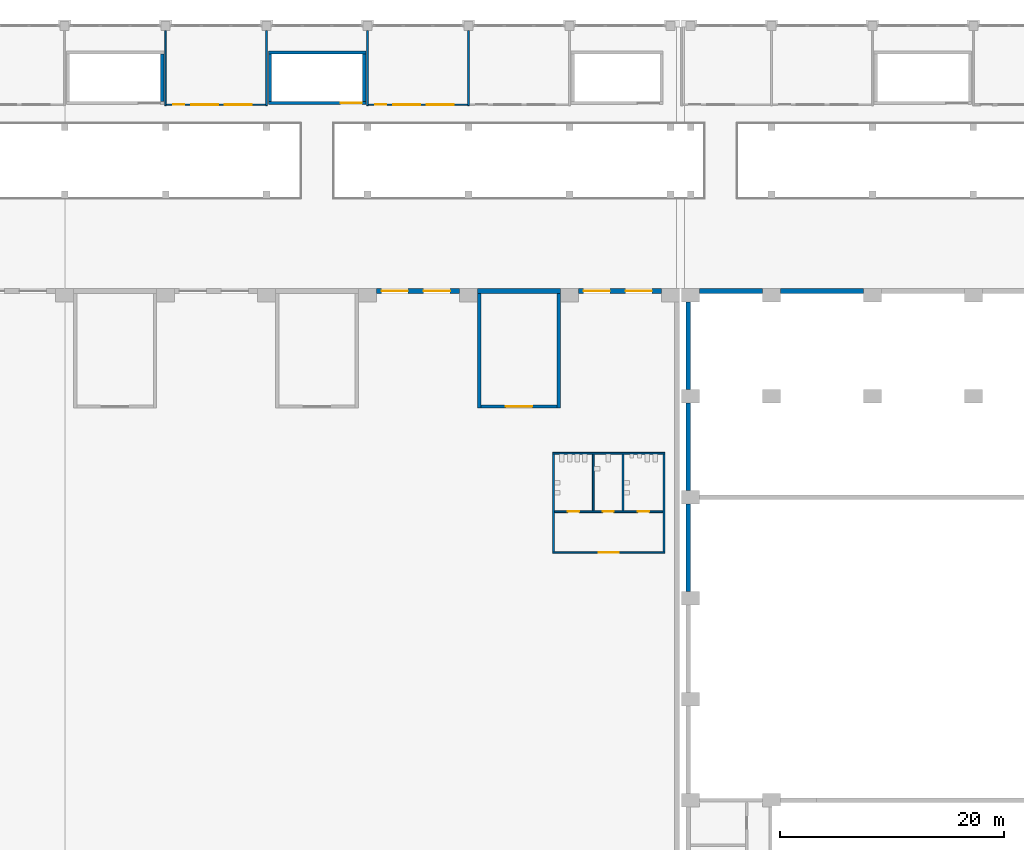
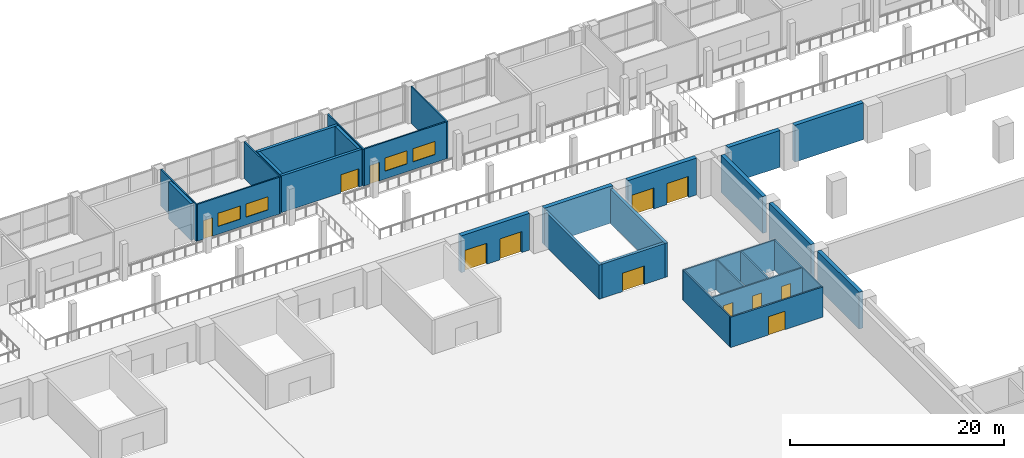
# One storey, part 19 of 39: 29 walls, 12 doors, 4 windows, 16 openings.
"""IFC4 building model written with IfcOpenShell, lengths in metres."""

from ifc_helpers import new_model, si_unit, direction, frame, frame_2d, origin, place, context, subcontext, project, spatial, rectangle, extrude, material, layer, layer_set, type_object, element, fill, save


model = new_model("IFC4")

# Units and contexts
model_context = context("Model", 3, precision=1e-05, world=origin(), true_north=direction((0.0, 1.0)))
body_context = subcontext(model_context, "Body", "Model", "MODEL_VIEW")
ifc_project = project(units=[si_unit("LENGTHUNIT", "METRE"), si_unit("AREAUNIT", "SQUARE_METRE"), si_unit("VOLUMEUNIT", "CUBIC_METRE"), si_unit("PLANEANGLEUNIT", "RADIAN"), si_unit("MASSUNIT", "GRAM", prefix="KILO")], contexts=[model_context])

# Site, building, storey
site_placement = place(None, origin())
site = spatial("IfcSite", under=ifc_project, at=site_placement, CompositionType="ELEMENT")
building_placement = place(site_placement, origin())
building = spatial("IfcBuilding", under=site, at=building_placement, Name="Aravalli Gate Trade Fair Centre", CompositionType="ELEMENT")
storey_placement = place(building_placement, frame((0.0, 0.0, 15.0)))
storey = spatial("IfcBuildingStorey", under=building, at=storey_placement, Name="L03", CompositionType="ELEMENT", Elevation=15.0)

# Walls
ifc_material_1 = material(Name="Concrete M40", Category="concrete")
ifc_layer_1 = layer(ifc_material_1, 0.25, Name="Structural wall")
ifc_material_2 = material(Name="Ventilated air cavity")
ifc_layer_2 = layer(ifc_material_2, 0.050048828125, ventilated=True, Name="Ventilated cavity")
ifc_material_3 = material(Name="Terracotta rainscreen", Category="masonry")
ifc_layer_3 = layer(ifc_material_3, 0.10009765625, Name="Rainscreen cladding")
ifc_layer_set_1 = layer_set([ifc_layer_1, ifc_layer_2, ifc_layer_3], Name="Congress external wall 400")
wall_type_1 = type_object("IfcWallType", Name="Congress external wall 400", PredefinedType="SOLIDWALL", material=ifc_layer_set_1)
for number, where, z_axis, x_axis, name in (
    (1, (106.60009765625, 82.60009765625, 0.0), (0.0, 0.0, 1.0), (0.0, 1.0, 0.0), "West wall L03 bay 5"),
    (2, (106.60009765625, 91.60009765625, 0.0), (0.0, 0.0, 1.0), (0.0, 1.0, 0.0), "West wall L03 bay 6"),
    (3, (106.60009765625, 100.60009765625, 0.0), (0.0, 0.0, 1.0), (0.0, 1.0, 0.0), "West wall L03 bay 7"),
):
    element("IfcWall", number, at=place(storey_placement, frame(where, z_axis=z_axis, x_axis=x_axis)), inside=storey, type_object=wall_type_1, Name=name, PredefinedType="SOLIDWALL", context=body_context, shape_type="SweptSolid", body=[
        extrude(rectangle(XDim=7.7998046875, YDim=0.39990234375, at=frame_2d((3.89990234375, 0.0))), origin(), (0.0, 0.0, 1.0), 4.199951171875),
    ])
ifc_layer_4 = layer(ifc_material_1, 0.449951171875)
ifc_layer_set_2 = layer_set([ifc_layer_4], Name="Concrete M40")
wall_type_2 = type_object("IfcWallType", Name="Congress party wall 450", PredefinedType="SOLIDWALL", material=ifc_layer_set_2)
wall_1_placement = place(storey_placement, frame((107.60009765625, 109.375, 0.0), z_axis=(0.0, 0.0, 1.0), x_axis=(1.0, 0.0, 0.0)))
element("IfcWall", 4, at=wall_1_placement, inside=storey, type_object=wall_type_2, Name="North wall L03 bay 1", PredefinedType="SOLIDWALL", context=body_context, shape_type="SweptSolid", body=[
    extrude(rectangle(XDim=5.599853515625, YDim=0.449951171875, at=frame_2d((2.7998046875, 0.0))), origin(), (0.0, 0.0, 1.0), 4.199951171875),
])
wall_2_placement = place(storey_placement, frame((114.800048828125, 109.375, 0.0), z_axis=(0.0, 0.0, 1.0), x_axis=(1.0, 0.0, 0.0)))
element("IfcWall", 5, at=wall_2_placement, inside=storey, type_object=wall_type_2, Name="North wall L03 bay 2", PredefinedType="SOLIDWALL", context=body_context, shape_type="SweptSolid", body=[
    extrude(rectangle(XDim=7.39990234375, YDim=0.449951171875, at=frame_2d((3.699951171875, 0.0))), origin(), (0.0, 0.0, 1.0), 4.199951171875),
])

# Wall, openings, doors
ifc_layer_5 = layer(ifc_material_1, 0.25, Name="Structural wall")
ifc_layer_6 = layer(ifc_material_2, 0.10009765625, ventilated=True, Name="Ventilated cavity")
ifc_layer_7 = layer(ifc_material_3, 0.10009765625, Name="Rainscreen cladding")
ifc_layer_set_3 = layer_set([ifc_layer_5, ifc_layer_6, ifc_layer_7], Name="Hall external wall 450")
wall_type_3 = type_object("IfcWallType", Name="Hall external wall 450", PredefinedType="SOLIDWALL", material=ifc_layer_set_3)
wall_3_placement = place(storey_placement, frame((78.800048828125, 109.375, 0.0), z_axis=(0.0, 0.0, 1.0), x_axis=(1.0, 0.0, 0.0)))
wall_3 = element("IfcWall", 6, at=wall_3_placement, inside=storey, type_object=wall_type_3, Name="Hall north wall bay 9 L03", PredefinedType="SOLIDWALL", context=body_context, shape_type="SweptSolid", body=[
    extrude(rectangle(XDim=7.39990234375, YDim=0.449951171875, at=frame_2d((3.699951171875, 0.0))), origin(), (0.0, 0.0, 1.0), 4.199951171875),
])
opening_1_placement = place(wall_3_placement, frame((0.449951171875, 0.0, 0.0)))
opening_1 = element("IfcOpeningElement", 7, at=opening_1_placement, cuts=wall_3, Name="Opening H-L03-14", PredefinedType="OPENING", context=body_context, shape_type="SweptSolid", body=[
    extrude(rectangle(XDim=2.35009765625, YDim=2.39990234375, at=frame_2d((1.175048828125, 1.199951171875))), frame((0.0, 0.23486328125, 0.0), z_axis=(0.0, -1.0, 0.0), x_axis=(1.0, 0.0, 0.0)), (0.0, 0.0, 1.0), 0.469970703125),
])
opening_2_placement = place(wall_3_placement, frame((4.199951171875, 0.0, 0.0)))
opening_2 = element("IfcOpeningElement", 8, at=opening_2_placement, cuts=wall_3, Name="Opening H-L03-15", PredefinedType="OPENING", context=body_context, shape_type="SweptSolid", body=[
    extrude(rectangle(XDim=2.35009765625, YDim=2.39990234375, at=frame_2d((1.175048828125, 1.199951171875))), frame((0.0, 0.23486328125, 0.0), z_axis=(0.0, -1.0, 0.0), x_axis=(1.0, 0.0, 0.0)), (0.0, 0.0, 1.0), 0.469970703125),
])
ifc_material_4 = material(Name="Steel", Category="steel")
door_type_1 = type_object("IfcDoorType", Name="Hall entrance double door FD120", OperationType="DOUBLE_DOOR_SINGLE_SWING", PredefinedType="DOOR", material=ifc_material_4)
door_1_placement = place(opening_1_placement, origin())
door_1 = element("IfcDoor", 9, at=door_1_placement, inside=storey, type_object=door_type_1, Name="Hall entrance door bay 9 L03 1", OperationType="DOUBLE_DOOR_SINGLE_SWING", OverallHeight=2.39990234375, OverallWidth=2.35009765625, PredefinedType="DOOR", context=body_context, shape_type="SweptSolid", body=[
    extrude(rectangle(XDim=2.35009765625, YDim=2.39990234375, at=frame_2d((1.175048828125, 1.199951171875))), frame((0.0, 0.02490234375, 0.0), z_axis=(0.0, -1.0, 0.0), x_axis=(1.0, 0.0, 0.0)), (0.0, 0.0, 1.0), 0.050048828125),
])
fill(opening_1, door_1)
door_2_placement = place(opening_2_placement, origin())
door_2 = element("IfcDoor", 10, at=door_2_placement, inside=storey, type_object=door_type_1, Name="Hall entrance door bay 9 L03 2", OperationType="DOUBLE_DOOR_SINGLE_SWING", OverallHeight=2.39990234375, OverallWidth=2.35009765625, PredefinedType="DOOR", context=body_context, shape_type="SweptSolid", body=[
    extrude(rectangle(XDim=2.35009765625, YDim=2.39990234375, at=frame_2d((1.175048828125, 1.199951171875))), frame((0.0, 0.02490234375, 0.0), z_axis=(0.0, -1.0, 0.0), x_axis=(1.0, 0.0, 0.0)), (0.0, 0.0, 1.0), 0.050048828125),
])
fill(opening_2, door_2)

# Wall
wall_4_placement = place(storey_placement, frame((87.800048828125, 109.375, 0.0), z_axis=(0.0, 0.0, 1.0), x_axis=(1.0, 0.0, 0.0)))
element("IfcWall", 11, at=wall_4_placement, inside=storey, type_object=wall_type_3, Name="Hall north wall bay 10 L03", PredefinedType="SOLIDWALL", context=body_context, shape_type="SweptSolid", body=[
    extrude(rectangle(XDim=7.39990234375, YDim=0.449951171875, at=frame_2d((3.699951171875, 0.0))), origin(), (0.0, 0.0, 1.0), 4.199951171875),
])

# Wall, openings, doors
wall_5_placement = place(storey_placement, frame((96.800048828125, 109.375, 0.0), z_axis=(0.0, 0.0, 1.0), x_axis=(1.0, 0.0, 0.0)))
wall_5 = element("IfcWall", 12, at=wall_5_placement, inside=storey, type_object=wall_type_3, Name="Hall north wall bay 11 L03", PredefinedType="SOLIDWALL", context=body_context, shape_type="SweptSolid", body=[
    extrude(rectangle(XDim=7.39990234375, YDim=0.449951171875, at=frame_2d((3.699951171875, 0.0))), origin(), (0.0, 0.0, 1.0), 4.199951171875),
])
opening_3_placement = place(wall_5_placement, frame((0.449951171875, 0.0, 0.0)))
opening_3 = element("IfcOpeningElement", 13, at=opening_3_placement, cuts=wall_5, Name="Opening H-L03-17", PredefinedType="OPENING", context=body_context, shape_type="SweptSolid", body=[
    extrude(rectangle(XDim=2.35009765625, YDim=2.39990234375, at=frame_2d((1.175048828125, 1.199951171875))), frame((0.0, 0.23486328125, 0.0), z_axis=(0.0, -1.0, 0.0), x_axis=(1.0, 0.0, 0.0)), (0.0, 0.0, 1.0), 0.469970703125),
])
opening_4_placement = place(wall_5_placement, frame((4.199951171875, 0.0, 0.0)))
opening_4 = element("IfcOpeningElement", 14, at=opening_4_placement, cuts=wall_5, Name="Opening H-L03-18", PredefinedType="OPENING", context=body_context, shape_type="SweptSolid", body=[
    extrude(rectangle(XDim=2.35009765625, YDim=2.39990234375, at=frame_2d((1.175048828125, 1.199951171875))), frame((0.0, 0.23486328125, 0.0), z_axis=(0.0, -1.0, 0.0), x_axis=(1.0, 0.0, 0.0)), (0.0, 0.0, 1.0), 0.469970703125),
])
door_3_placement = place(opening_3_placement, origin())
door_3 = element("IfcDoor", 15, at=door_3_placement, inside=storey, type_object=door_type_1, Name="Hall entrance door bay 11 L03 1", OperationType="DOUBLE_DOOR_SINGLE_SWING", OverallHeight=2.39990234375, OverallWidth=2.35009765625, PredefinedType="DOOR", context=body_context, shape_type="SweptSolid", body=[
    extrude(rectangle(XDim=2.35009765625, YDim=2.39990234375, at=frame_2d((1.175048828125, 1.199951171875))), frame((0.0, 0.02490234375, 0.0), z_axis=(0.0, -1.0, 0.0), x_axis=(1.0, 0.0, 0.0)), (0.0, 0.0, 1.0), 0.050048828125),
])
fill(opening_3, door_3)
door_4_placement = place(opening_4_placement, origin())
door_4 = element("IfcDoor", 16, at=door_4_placement, inside=storey, type_object=door_type_1, Name="Hall entrance door bay 11 L03 2", OperationType="DOUBLE_DOOR_SINGLE_SWING", OverallHeight=2.39990234375, OverallWidth=2.35009765625, PredefinedType="DOOR", context=body_context, shape_type="SweptSolid", body=[
    extrude(rectangle(XDim=2.35009765625, YDim=2.39990234375, at=frame_2d((1.175048828125, 1.199951171875))), frame((0.0, 0.02490234375, 0.0), z_axis=(0.0, -1.0, 0.0), x_axis=(1.0, 0.0, 0.0)), (0.0, 0.0, 1.0), 0.050048828125),
])
fill(opening_4, door_4)

# Wall, openings, windows, door
ifc_material_5 = material(Name="Gypsum board")
ifc_layer_8 = layer(ifc_material_5, 0.02490234375, Name="Gypsum board lining")
ifc_material_6 = material(Name="Galvanised stud framing")
ifc_layer_9 = layer(ifc_material_6, 0.10009765625, Name="Stud framing")
ifc_layer_10 = layer(ifc_material_5, 0.02490234375, Name="Gypsum board lining")
ifc_layer_set_4 = layer_set([ifc_layer_8, ifc_layer_9, ifc_layer_10], Name="Partition wall 150")
wall_type_4 = type_object("IfcWallType", Name="Partition wall 150", PredefinedType="PARTITIONING", material=ifc_layer_set_4)
wall_6_placement = place(storey_placement, frame((60.074951171875, 126.0, 0.0), z_axis=(0.0, 0.0, 1.0), x_axis=(1.0, 0.0, 0.0)))
wall_6 = element("IfcWall", 17, at=wall_6_placement, inside=storey, type_object=wall_type_4, Name="Partition Meeting Room 2 south L03", PredefinedType="PARTITIONING", context=body_context, shape_type="SweptSolid", body=[
    extrude(rectangle(XDim=8.85009765625, YDim=0.14990234375, at=frame_2d((4.425048828125, 0.0))), origin(), (0.0, 0.0, 1.0), 4.199951171875),
])
opening_5_placement = place(wall_6_placement, frame((0.60009765625, 0.0, 0.0)))
opening_5 = element("IfcOpeningElement", 18, at=opening_5_placement, cuts=wall_6, Name="Opening C-L03-16", PredefinedType="OPENING", context=body_context, shape_type="SweptSolid", body=[
    extrude(rectangle(XDim=1.0, YDim=2.10009765625, at=frame_2d((0.5, 1.050048828125))), frame((0.0, 0.0849609375, 0.0), z_axis=(0.0, -1.0, 0.0), x_axis=(1.0, 0.0, 0.0)), (0.0, 0.0, 1.0), 0.169921875),
])
opening_6_placement = place(wall_6_placement, frame((2.199951171875, 0.0, 0.89990234375)))
opening_6 = element("IfcOpeningElement", 19, at=opening_6_placement, cuts=wall_6, Name="Opening WI1", PredefinedType="OPENING", context=body_context, shape_type="SweptSolid", body=[
    extrude(rectangle(XDim=2.39990234375, YDim=1.5, at=frame_2d((1.199951171875, 0.75))), frame((0.0, 0.0849609375, 0.0), z_axis=(0.0, -1.0, 0.0), x_axis=(1.0, 0.0, 0.0)), (0.0, 0.0, 1.0), 0.169921875),
])
opening_7_placement = place(wall_6_placement, frame((5.199951171875, 0.0, 0.89990234375)))
opening_7 = element("IfcOpeningElement", 20, at=opening_7_placement, cuts=wall_6, Name="Opening WI1", PredefinedType="OPENING", context=body_context, shape_type="SweptSolid", body=[
    extrude(rectangle(XDim=2.39990234375, YDim=1.5, at=frame_2d((1.199951171875, 0.75))), frame((0.0, 0.0849609375, 0.0), z_axis=(0.0, -1.0, 0.0), x_axis=(1.0, 0.0, 0.0)), (0.0, 0.0, 1.0), 0.169921875),
])
ifc_material_7 = material(Name="Glass, fire rated", Category="glass")
window_type = type_object("IfcWindowType", Name="Interior glazed screen 2400 x 1500", PartitioningType="SINGLE_PANEL", PredefinedType="WINDOW", material=ifc_material_7)
window_1_placement = place(opening_6_placement, origin())
window_1 = element("IfcWindow", 21, at=window_1_placement, inside=storey, type_object=window_type, Name="Interior window Meeting Room 2 1 L03", OverallHeight=1.5, OverallWidth=2.39990234375, PartitioningType="SINGLE_PANEL", PredefinedType="WINDOW", context=body_context, shape_type="SweptSolid", body=[
    extrude(rectangle(XDim=2.39990234375, YDim=1.5, at=frame_2d((1.199951171875, 0.75))), frame((0.0, 0.030029296875, 0.0), z_axis=(0.0, -1.0, 0.0), x_axis=(1.0, 0.0, 0.0)), (0.0, 0.0, 1.0), 0.06005859375),
])
fill(opening_6, window_1)
window_2_placement = place(opening_7_placement, origin())
window_2 = element("IfcWindow", 22, at=window_2_placement, inside=storey, type_object=window_type, Name="Interior window Meeting Room 2 2 L03", OverallHeight=1.5, OverallWidth=2.39990234375, PartitioningType="SINGLE_PANEL", PredefinedType="WINDOW", context=body_context, shape_type="SweptSolid", body=[
    extrude(rectangle(XDim=2.39990234375, YDim=1.5, at=frame_2d((1.199951171875, 0.75))), frame((0.0, 0.030029296875, 0.0), z_axis=(0.0, -1.0, 0.0), x_axis=(1.0, 0.0, 0.0)), (0.0, 0.0, 1.0), 0.06005859375),
])
fill(opening_7, window_2)
ifc_material_8 = material(Name="Steel, fire rated", Category="steel")
door_type_2 = type_object("IfcDoorType", Name="Room door 1000 x 2100", OperationType="SINGLE_SWING_RIGHT", PredefinedType="NOTDEFINED", material=ifc_material_8)
door_5_placement = place(opening_5_placement, origin())
door_5 = element("IfcDoor", 23, at=door_5_placement, inside=storey, type_object=door_type_2, Name="Door Meeting Room 2 L03", OperationType="SINGLE_SWING_LEFT", OverallHeight=2.10009765625, OverallWidth=1.0, PredefinedType="NOTDEFINED", context=body_context, shape_type="SweptSolid", body=[
    extrude(rectangle(XDim=1.0, YDim=2.10009765625, at=frame_2d((0.5, 1.050048828125))), frame((0.0, 0.02490234375, 0.0), z_axis=(0.0, -1.0, 0.0), x_axis=(1.0, 0.0, 0.0)), (0.0, 0.0, 1.0), 0.050048828125),
])
fill(opening_5, door_5)

# Walls
for number, where, z_axis, x_axis, name in (
    (24, (60.0, 125.925048828125, 0.0), (0.0, 0.0, 1.0), (0.0, 1.0, 0.0), "Partition 6000 L03"),
    (25, (69.0, 125.925048828125, 0.0), (0.0, 0.0, 1.0), (0.0, 1.0, 0.0), "Partition 6900 L03"),
):
    element("IfcWall", number, at=place(storey_placement, frame(where, z_axis=z_axis, x_axis=x_axis)), inside=storey, type_object=wall_type_4, Name=name, PredefinedType="PARTITIONING", context=body_context, shape_type="SweptSolid", body=[
        extrude(rectangle(XDim=6.675048828125, YDim=0.14990234375, at=frame_2d((3.33740234375, 0.0))), origin(), (0.0, 0.0, 1.0), 4.199951171875),
    ])

# Wall, openings, windows, door
wall_7_placement = place(storey_placement, frame((78.074951171875, 126.0, 0.0), z_axis=(0.0, 0.0, 1.0), x_axis=(1.0, 0.0, 0.0)))
wall_7 = element("IfcWall", 26, at=wall_7_placement, inside=storey, type_object=wall_type_4, Name="Partition Meeting Room 3 south L03", PredefinedType="PARTITIONING", context=body_context, shape_type="SweptSolid", body=[
    extrude(rectangle(XDim=8.85009765625, YDim=0.14990234375, at=frame_2d((4.425048828125, 0.0))), origin(), (0.0, 0.0, 1.0), 4.199951171875),
])
opening_8_placement = place(wall_7_placement, frame((0.60009765625, 0.0, 0.0)))
opening_8 = element("IfcOpeningElement", 27, at=opening_8_placement, cuts=wall_7, Name="Opening C-L03-17", PredefinedType="OPENING", context=body_context, shape_type="SweptSolid", body=[
    extrude(rectangle(XDim=1.0, YDim=2.10009765625, at=frame_2d((0.5, 1.050048828125))), frame((0.0, 0.0849609375, 0.0), z_axis=(0.0, -1.0, 0.0), x_axis=(1.0, 0.0, 0.0)), (0.0, 0.0, 1.0), 0.169921875),
])
opening_9_placement = place(wall_7_placement, frame((2.199951171875, 0.0, 0.89990234375)))
opening_9 = element("IfcOpeningElement", 28, at=opening_9_placement, cuts=wall_7, Name="Opening WI1", PredefinedType="OPENING", context=body_context, shape_type="SweptSolid", body=[
    extrude(rectangle(XDim=2.39990234375, YDim=1.5, at=frame_2d((1.199951171875, 0.75))), frame((0.0, 0.0849609375, 0.0), z_axis=(0.0, -1.0, 0.0), x_axis=(1.0, 0.0, 0.0)), (0.0, 0.0, 1.0), 0.169921875),
])
opening_10_placement = place(wall_7_placement, frame((5.199951171875, 0.0, 0.89990234375)))
opening_10 = element("IfcOpeningElement", 29, at=opening_10_placement, cuts=wall_7, Name="Opening WI1", PredefinedType="OPENING", context=body_context, shape_type="SweptSolid", body=[
    extrude(rectangle(XDim=2.39990234375, YDim=1.5, at=frame_2d((1.199951171875, 0.75))), frame((0.0, 0.0849609375, 0.0), z_axis=(0.0, -1.0, 0.0), x_axis=(1.0, 0.0, 0.0)), (0.0, 0.0, 1.0), 0.169921875),
])
window_3_placement = place(opening_9_placement, origin())
window_3 = element("IfcWindow", 30, at=window_3_placement, inside=storey, type_object=window_type, Name="Interior window Meeting Room 3 1 L03", OverallHeight=1.5, OverallWidth=2.39990234375, PartitioningType="SINGLE_PANEL", PredefinedType="WINDOW", context=body_context, shape_type="SweptSolid", body=[
    extrude(rectangle(XDim=2.39990234375, YDim=1.5, at=frame_2d((1.199951171875, 0.75))), frame((0.0, 0.030029296875, 0.0), z_axis=(0.0, -1.0, 0.0), x_axis=(1.0, 0.0, 0.0)), (0.0, 0.0, 1.0), 0.06005859375),
])
fill(opening_9, window_3)
window_4_placement = place(opening_10_placement, origin())
window_4 = element("IfcWindow", 31, at=window_4_placement, inside=storey, type_object=window_type, Name="Interior window Meeting Room 3 2 L03", OverallHeight=1.5, OverallWidth=2.39990234375, PartitioningType="SINGLE_PANEL", PredefinedType="WINDOW", context=body_context, shape_type="SweptSolid", body=[
    extrude(rectangle(XDim=2.39990234375, YDim=1.5, at=frame_2d((1.199951171875, 0.75))), frame((0.0, 0.030029296875, 0.0), z_axis=(0.0, -1.0, 0.0), x_axis=(1.0, 0.0, 0.0)), (0.0, 0.0, 1.0), 0.06005859375),
])
fill(opening_10, window_4)
door_6_placement = place(opening_8_placement, origin())
door_6 = element("IfcDoor", 32, at=door_6_placement, inside=storey, type_object=door_type_2, Name="Door Meeting Room 3 L03", OperationType="SINGLE_SWING_LEFT", OverallHeight=2.10009765625, OverallWidth=1.0, PredefinedType="NOTDEFINED", context=body_context, shape_type="SweptSolid", body=[
    extrude(rectangle(XDim=1.0, YDim=2.10009765625, at=frame_2d((0.5, 1.050048828125))), frame((0.0, 0.02490234375, 0.0), z_axis=(0.0, -1.0, 0.0), x_axis=(1.0, 0.0, 0.0)), (0.0, 0.0, 1.0), 0.050048828125),
])
fill(opening_8, door_6)

# Walls
for number, where, z_axis, x_axis, name in (
    (33, (78.0, 125.925048828125, 0.0), (0.0, 0.0, 1.0), (0.0, 1.0, 0.0), "Partition 7800 L03"),
    (34, (87.0, 125.925048828125, 0.0), (0.0, 0.0, 1.0), (0.0, 1.0, 0.0), "Partition 8700 L03"),
):
    element("IfcWall", number, at=place(storey_placement, frame(where, z_axis=z_axis, x_axis=x_axis)), inside=storey, type_object=wall_type_4, Name=name, PredefinedType="PARTITIONING", context=body_context, shape_type="SweptSolid", body=[
        extrude(rectangle(XDim=6.675048828125, YDim=0.14990234375, at=frame_2d((3.33740234375, 0.0))), origin(), (0.0, 0.0, 1.0), 4.199951171875),
    ])
ifc_layer_11 = layer(ifc_material_1, 0.300048828125)
ifc_layer_set_5 = layer_set([ifc_layer_11], Name="Concrete M40")
wall_type_5 = type_object("IfcWallType", Name="RC core wall 300", PredefinedType="SHEAR", material=ifc_layer_set_5)
wall_8_placement = place(storey_placement, frame((59.699951171875, 126.300048828125, 0.0), z_axis=(0.0, 0.0, 1.0), x_axis=(0.0, 1.0, 0.0)))
element("IfcWall", 35, at=wall_8_placement, inside=storey, type_object=wall_type_5, Name="Core wall XBE L03", PredefinedType="SHEAR", context=body_context, shape_type="SweptSolid", body=[
    extrude(rectangle(XDim=4.199951171875, YDim=0.300048828125, at=frame_2d((2.10009765625, 0.0))), origin(), (0.0, 0.0, 1.0), 4.199951171875),
])

# Wall, opening, door
wall_9_placement = place(storey_placement, frame((69.14990234375, 126.14990234375, 0.0), z_axis=(0.0, 0.0, 1.0), x_axis=(1.0, 0.0, 0.0)))
wall_9 = element("IfcWall", 36, at=wall_9_placement, inside=storey, type_object=wall_type_5, Name="Core wall XCS L03", PredefinedType="SHEAR", context=body_context, shape_type="SweptSolid", body=[
    extrude(rectangle(XDim=8.7001953125, YDim=0.300048828125, at=frame_2d((4.35009765625, 0.0))), origin(), (0.0, 0.0, 1.0), 4.199951171875),
])
opening_11_placement = place(wall_9_placement, frame((6.449951171875, 0.0, 0.0)))
opening_11 = element("IfcOpeningElement", 37, at=opening_11_placement, cuts=wall_9, Name="Opening C-L03-09", PredefinedType="OPENING", context=body_context, shape_type="SweptSolid", body=[
    extrude(rectangle(XDim=1.89990234375, YDim=2.10009765625, at=frame_2d((0.949951171875, 1.050048828125))), frame((0.0, 0.159912109375, 0.0), z_axis=(0.0, -1.0, 0.0), x_axis=(1.0, 0.0, 0.0)), (0.0, 0.0, 1.0), 0.320068359375),
])
door_type_3 = type_object("IfcDoorType", Name="Concourse stair door 1900 x 2100", OperationType="DOUBLE_DOOR_SINGLE_SWING", PredefinedType="NOTDEFINED", material=ifc_material_8)
door_7_placement = place(opening_11_placement, origin())
door_7 = element("IfcDoor", 38, at=door_7_placement, inside=storey, type_object=door_type_3, Name="Stair door XC L03", OperationType="DOUBLE_DOOR_SINGLE_SWING", OverallHeight=2.10009765625, OverallWidth=1.89990234375, PredefinedType="NOTDEFINED", context=body_context, shape_type="SweptSolid", body=[
    extrude(rectangle(XDim=1.89990234375, YDim=2.10009765625, at=frame_2d((0.949951171875, 1.050048828125))), frame((0.0, 0.02490234375, 0.0), z_axis=(0.0, -1.0, 0.0), x_axis=(1.0, 0.0, 0.0)), (0.0, 0.0, 1.0), 0.050048828125),
])
fill(opening_11, door_7)

# Walls
wall_10_placement = place(storey_placement, frame((69.14990234375, 130.64990234375, 0.0), z_axis=(0.0, 0.0, 1.0), x_axis=(1.0, 0.0, 0.0)))
element("IfcWall", 39, at=wall_10_placement, inside=storey, type_object=wall_type_5, Name="Core wall XCN L03", PredefinedType="SHEAR", context=body_context, shape_type="SweptSolid", body=[
    extrude(rectangle(XDim=8.7001953125, YDim=0.300048828125, at=frame_2d((4.35009765625, 0.0))), origin(), (0.0, 0.0, 1.0), 4.199951171875),
])
for number, where, z_axis, x_axis, name in (
    (40, (69.300048828125, 126.300048828125, 0.0), (0.0, 0.0, 1.0), (0.0, 1.0, 0.0), "Core wall XCW L03"),
    (41, (77.699951171875, 126.300048828125, 0.0), (0.0, 0.0, 1.0), (0.0, 1.0, 0.0), "Core wall XCE L03"),
):
    element("IfcWall", number, at=place(storey_placement, frame(where, z_axis=z_axis, x_axis=x_axis)), inside=storey, type_object=wall_type_5, Name=name, PredefinedType="SHEAR", context=body_context, shape_type="SweptSolid", body=[
        extrude(rectangle(XDim=4.199951171875, YDim=0.300048828125, at=frame_2d((2.10009765625, 0.0))), origin(), (0.0, 0.0, 1.0), 4.199951171875),
    ])
ifc_layer_12 = layer(ifc_material_1, 0.300048828125)
ifc_layer_set_6 = layer_set([ifc_layer_12], Name="Concrete M40")
wall_type_6 = type_object("IfcWallType", Name="Stair tower wall RC 300", PredefinedType="SHEAR", material=ifc_layer_set_6)
for number, where, z_axis, x_axis, name in (
    (42, (87.949951171875, 109.14990234375, 0.0), (0.0, 0.0, 1.0), (0.0, -1.0, 0.0), "Stair tower N10 wall W L03"),
    (43, (95.050048828125, 109.14990234375, 0.0), (0.0, 0.0, 1.0), (0.0, -1.0, 0.0), "Stair tower N10 wall E L03"),
):
    element("IfcWall", number, at=place(storey_placement, frame(where, z_axis=z_axis, x_axis=x_axis)), inside=storey, type_object=wall_type_6, Name=name, PredefinedType="SHEAR", context=body_context, shape_type="SweptSolid", body=[
        extrude(rectangle(XDim=10.199951171875, YDim=0.300048828125, at=frame_2d((5.10009765625, 0.0))), origin(), (0.0, 0.0, 1.0), 3.89990234375),
    ])

# Wall, opening, door
wall_11_placement = place(storey_placement, frame((88.10009765625, 99.10009765625, 0.0), z_axis=(0.0, 0.0, 1.0), x_axis=(1.0, 0.0, 0.0)))
wall_11 = element("IfcWall", 44, at=wall_11_placement, inside=storey, type_object=wall_type_6, Name="Stair tower N10 wall F L03", PredefinedType="SHEAR", context=body_context, shape_type="SweptSolid", body=[
    extrude(rectangle(XDim=6.7998046875, YDim=0.300048828125, at=frame_2d((3.39990234375, 0.0))), origin(), (0.0, 0.0, 1.0), 3.89990234375),
])
opening_12_placement = place(wall_11_placement, frame((2.22509765625, 0.0, 0.0)))
opening_12 = element("IfcOpeningElement", 45, at=opening_12_placement, cuts=wall_11, Name="Opening H-L03-32", PredefinedType="OPENING", context=body_context, shape_type="SweptSolid", body=[
    extrude(rectangle(XDim=2.35009765625, YDim=2.10009765625, at=frame_2d((1.175048828125, 1.050048828125))), frame((0.0, 0.159912109375, 0.0), z_axis=(0.0, -1.0, 0.0), x_axis=(1.0, 0.0, 0.0)), (0.0, 0.0, 1.0), 0.320068359375),
])
door_type_4 = type_object("IfcDoorType", Name="Stair lobby double door FD120", OperationType="DOUBLE_DOOR_SINGLE_SWING", PredefinedType="DOOR", material=ifc_material_4)
door_8_placement = place(opening_12_placement, origin())
door_8 = element("IfcDoor", 46, at=door_8_placement, inside=storey, type_object=door_type_4, Name="Exit door ST-N10 L03", OperationType="DOUBLE_DOOR_SINGLE_SWING", OverallHeight=2.10009765625, OverallWidth=2.35009765625, PredefinedType="DOOR", context=body_context, shape_type="SweptSolid", body=[
    extrude(rectangle(XDim=2.35009765625, YDim=2.10009765625, at=frame_2d((1.175048828125, 1.050048828125))), frame((0.0, 0.02490234375, 0.0), z_axis=(0.0, -1.0, 0.0), x_axis=(1.0, 0.0, 0.0)), (0.0, 0.0, 1.0), 0.050048828125),
])
fill(opening_12, door_8)

ifc_layer_13 = layer(ifc_material_1, 0.14990234375)
ifc_layer_set_7 = layer_set([ifc_layer_13], Name="Concrete M40")
wall_type_7 = type_object("IfcWallType", Name="WC block wall RC 150", PredefinedType="SOLIDWALL", material=ifc_layer_set_7)
wall_12_placement = place(storey_placement, frame((94.5, 86.074951171875, 0.0), z_axis=(0.0, 0.0, 1.0), x_axis=(1.0, 0.0, 0.0)))
wall_12 = element("IfcWall", 47, at=wall_12_placement, inside=storey, type_object=wall_type_7, Name="WC block E L03 wall s", PredefinedType="SOLIDWALL", context=body_context, shape_type="SweptSolid", body=[
    extrude(rectangle(XDim=10.0, YDim=0.14990234375, at=frame_2d((5.0, 0.0))), origin(), (0.0, 0.0, 1.0), 3.449951171875),
])
opening_13_placement = place(wall_12_placement, frame((4.10009765625, 0.0, 0.0)))
opening_13 = element("IfcOpeningElement", 48, at=opening_13_placement, cuts=wall_12, Name="Opening H-L03-37", PredefinedType="OPENING", context=body_context, shape_type="SweptSolid", body=[
    extrude(rectangle(XDim=1.800048828125, YDim=2.10009765625, at=frame_2d((0.89990234375, 1.050048828125))), frame((0.0, 0.0849609375, 0.0), z_axis=(0.0, -1.0, 0.0), x_axis=(1.0, 0.0, 0.0)), (0.0, 0.0, 1.0), 0.169921875),
])
ifc_material_9 = material(Name="Timber", Category="wood")
door_type_5 = type_object("IfcDoorType", Name="WC entrance double door 1800", OperationType="DOUBLE_DOOR_SINGLE_SWING", PredefinedType="DOOR", material=ifc_material_9)
door_9_placement = place(opening_13_placement, origin())
door_9 = element("IfcDoor", 49, at=door_9_placement, inside=storey, type_object=door_type_5, Name="WC entrance door E L03", OperationType="DOUBLE_DOOR_SINGLE_SWING", OverallHeight=2.10009765625, OverallWidth=1.800048828125, PredefinedType="DOOR", context=body_context, shape_type="SweptSolid", body=[
    extrude(rectangle(XDim=1.800048828125, YDim=2.10009765625, at=frame_2d((0.89990234375, 1.050048828125))), frame((0.0, 0.02490234375, 0.0), z_axis=(0.0, -1.0, 0.0), x_axis=(1.0, 0.0, 0.0)), (0.0, 0.0, 1.0), 0.050048828125),
])
fill(opening_13, door_9)

# Walls
wall_13_placement = place(storey_placement, frame((94.5, 94.925048828125, 0.0), z_axis=(0.0, 0.0, 1.0), x_axis=(1.0, 0.0, 0.0)))
element("IfcWall", 50, at=wall_13_placement, inside=storey, type_object=wall_type_7, Name="WC block E L03 wall n", PredefinedType="SOLIDWALL", context=body_context, shape_type="SweptSolid", body=[
    extrude(rectangle(XDim=10.0, YDim=0.14990234375, at=frame_2d((5.0, 0.0))), origin(), (0.0, 0.0, 1.0), 3.449951171875),
])
for number, where, z_axis, x_axis, name in (
    (51, (104.425048828125, 86.14990234375, 0.0), (0.0, 0.0, 1.0), (0.0, 1.0, 0.0), "WC block E L03 wall w"),
    (52, (94.574951171875, 86.14990234375, 0.0), (0.0, 0.0, 1.0), (0.0, 1.0, 0.0), "WC block E L03 wall e"),
):
    element("IfcWall", number, at=place(storey_placement, frame(where, z_axis=z_axis, x_axis=x_axis)), inside=storey, type_object=wall_type_7, Name=name, PredefinedType="SOLIDWALL", context=body_context, shape_type="SweptSolid", body=[
        extrude(rectangle(XDim=8.7001953125, YDim=0.14990234375, at=frame_2d((4.35009765625, 0.0))), origin(), (0.0, 0.0, 1.0), 3.449951171875),
    ])

# Wall, openings, doors
wall_14_placement = place(storey_placement, frame((94.64990234375, 89.72509765625, 0.0), z_axis=(0.0, 0.0, 1.0), x_axis=(1.0, 0.0, 0.0)))
wall_14 = element("IfcWall", 53, at=wall_14_placement, inside=storey, type_object=wall_type_7, Name="WC block E L03 wall l", PredefinedType="SOLIDWALL", context=body_context, shape_type="SweptSolid", body=[
    extrude(rectangle(XDim=9.7001953125, YDim=0.14990234375, at=frame_2d((4.85009765625, 0.0))), origin(), (0.0, 0.0, 1.0), 3.449951171875),
])
opening_14_placement = place(wall_14_placement, frame((7.449951171875, 0.0, 0.0)))
opening_14 = element("IfcOpeningElement", 54, at=opening_14_placement, cuts=wall_14, Name="Opening H-L03-38", PredefinedType="OPENING", context=body_context, shape_type="SweptSolid", body=[
    extrude(rectangle(XDim=1.0, YDim=2.10009765625, at=frame_2d((0.5, 1.050048828125))), frame((0.0, 0.0849609375, 0.0), z_axis=(0.0, -1.0, 0.0), x_axis=(1.0, 0.0, 0.0)), (0.0, 0.0, 1.0), 0.169921875),
])
opening_15_placement = place(wall_14_placement, frame((4.300048828125, 0.0, 0.0)))
opening_15 = element("IfcOpeningElement", 55, at=opening_15_placement, cuts=wall_14, Name="Opening H-L03-39", PredefinedType="OPENING", context=body_context, shape_type="SweptSolid", body=[
    extrude(rectangle(XDim=1.0, YDim=2.10009765625, at=frame_2d((0.5, 1.050048828125))), frame((0.0, 0.0849609375, 0.0), z_axis=(0.0, -1.0, 0.0), x_axis=(1.0, 0.0, 0.0)), (0.0, 0.0, 1.0), 0.169921875),
])
opening_16_placement = place(wall_14_placement, frame((1.199951171875, 0.0, 0.0)))
opening_16 = element("IfcOpeningElement", 56, at=opening_16_placement, cuts=wall_14, Name="Opening H-L03-40", PredefinedType="OPENING", context=body_context, shape_type="SweptSolid", body=[
    extrude(rectangle(XDim=1.0, YDim=2.10009765625, at=frame_2d((0.5, 1.050048828125))), frame((0.0, 0.0849609375, 0.0), z_axis=(0.0, -1.0, 0.0), x_axis=(1.0, 0.0, 0.0)), (0.0, 0.0, 1.0), 0.169921875),
])
door_type_6 = type_object("IfcDoorType", Name="WC door 1000", OperationType="SINGLE_SWING_LEFT", PredefinedType="DOOR", material=ifc_material_9)
door_10_placement = place(opening_14_placement, origin())
door_10 = element("IfcDoor", 57, at=door_10_placement, inside=storey, type_object=door_type_6, Name="Men WC door E L03", OperationType="SINGLE_SWING_LEFT", OverallHeight=2.10009765625, OverallWidth=1.0, PredefinedType="DOOR", context=body_context, shape_type="SweptSolid", body=[
    extrude(rectangle(XDim=1.0, YDim=2.10009765625, at=frame_2d((0.5, 1.050048828125))), frame((0.0, 0.02490234375, 0.0), z_axis=(0.0, -1.0, 0.0), x_axis=(1.0, 0.0, 0.0)), (0.0, 0.0, 1.0), 0.050048828125),
])
fill(opening_14, door_10)
door_11_placement = place(opening_15_placement, origin())
door_11 = element("IfcDoor", 58, at=door_11_placement, inside=storey, type_object=door_type_6, Name="Accessible WC door E L03", OperationType="SINGLE_SWING_LEFT", OverallHeight=2.10009765625, OverallWidth=1.0, PredefinedType="DOOR", context=body_context, shape_type="SweptSolid", body=[
    extrude(rectangle(XDim=1.0, YDim=2.10009765625, at=frame_2d((0.5, 1.050048828125))), frame((0.0, 0.02490234375, 0.0), z_axis=(0.0, -1.0, 0.0), x_axis=(1.0, 0.0, 0.0)), (0.0, 0.0, 1.0), 0.050048828125),
])
fill(opening_15, door_11)
door_12_placement = place(opening_16_placement, origin())
door_12 = element("IfcDoor", 59, at=door_12_placement, inside=storey, type_object=door_type_6, Name="Women WC door E L03", OperationType="SINGLE_SWING_RIGHT", OverallHeight=2.10009765625, OverallWidth=1.0, PredefinedType="DOOR", context=body_context, shape_type="SweptSolid", body=[
    extrude(rectangle(XDim=1.0, YDim=2.10009765625, at=frame_2d((0.5, 1.050048828125))), frame((0.0, 0.02490234375, 0.0), z_axis=(0.0, -1.0, 0.0), x_axis=(1.0, 0.0, 0.0)), (0.0, 0.0, 1.0), 0.050048828125),
])
fill(opening_16, door_12)

# Walls
for number, where, z_axis, x_axis, name in (
    (60, (100.77490234375, 89.800048828125, 0.0), (0.0, 0.0, 1.0), (0.0, 1.0, 0.0), "WC block E L03 wall p1"),
    (61, (98.125, 89.800048828125, 0.0), (0.0, 0.0, 1.0), (0.0, 1.0, 0.0), "WC block E L03 wall p2"),
):
    element("IfcWall", number, at=place(storey_placement, frame(where, z_axis=z_axis, x_axis=x_axis)), inside=storey, type_object=wall_type_7, Name=name, PredefinedType="SOLIDWALL", context=body_context, shape_type="SweptSolid", body=[
        extrude(rectangle(XDim=5.050048828125, YDim=0.14990234375, at=frame_2d((2.52490234375, 0.0))), origin(), (0.0, 0.0, 1.0), 3.449951171875),
    ])

save(model, "model.ifc")
